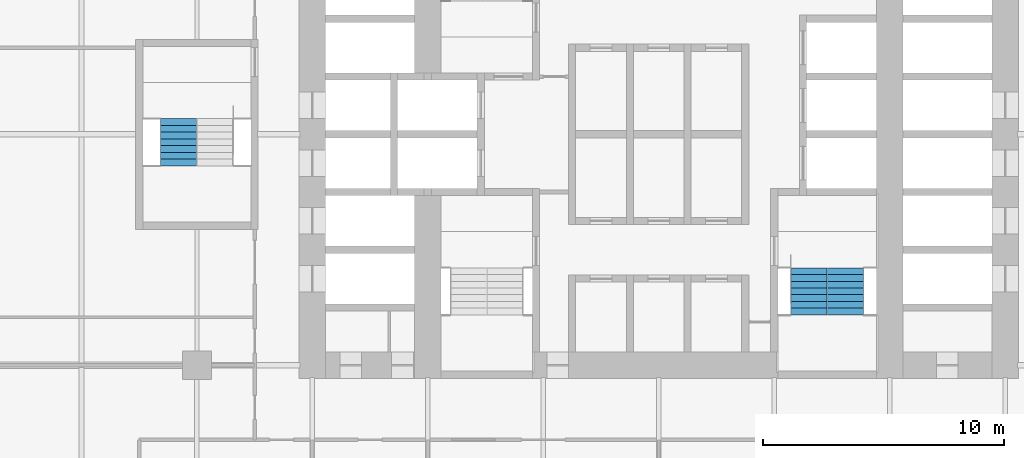
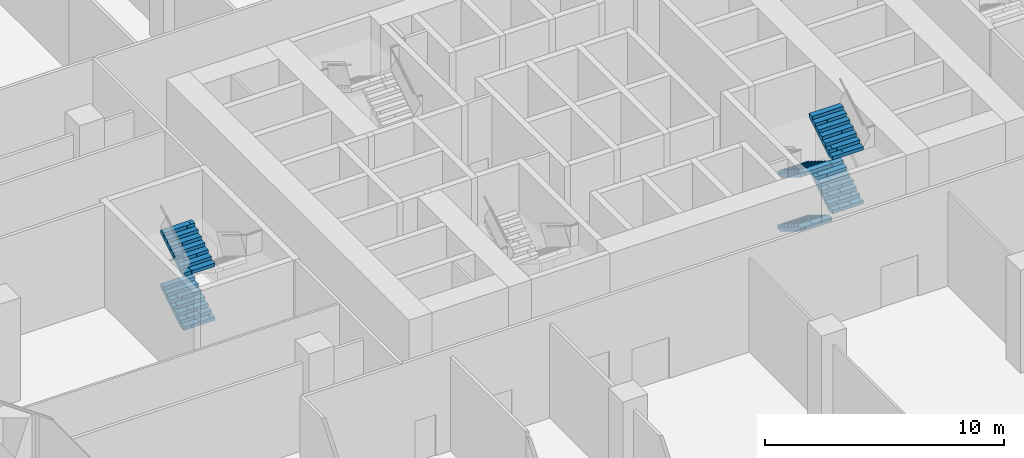
# One storey, part 23 of 27: 6 stair flights, 2 elements without a shape of their own.
"""IFC4 building model written with IfcOpenShell, lengths in metres."""

from ifc_helpers import new_model, si_unit, direction, frame, origin, place, context, subcontext, project, spatial, polyline, outline, extrude, material, type_object, element, aggregate, save


model = new_model("IFC4")

# Units and contexts
model_context = context("Model", 3, precision=1e-05, world=origin(), true_north=direction((0.0, 1.0)))
body_context = subcontext(model_context, "Body", "Model", "MODEL_VIEW")
ifc_project = project(units=[si_unit("LENGTHUNIT", "METRE"), si_unit("AREAUNIT", "SQUARE_METRE"), si_unit("VOLUMEUNIT", "CUBIC_METRE"), si_unit("PLANEANGLEUNIT", "RADIAN"), si_unit("MASSUNIT", "GRAM", prefix="KILO")], contexts=[model_context])

# Site, building, storey
site_placement = place(None, origin())
site = spatial("IfcSite", under=ifc_project, at=site_placement, CompositionType="ELEMENT")
building_placement = place(site_placement, origin())
building = spatial("IfcBuilding", under=site, at=building_placement, Name="Kolab Exchange Tower", CompositionType="ELEMENT")
storey_placement = place(building_placement, frame((0.0, 0.0, 22.39990234375)))
storey = spatial("IfcBuildingStorey", under=building, at=storey_placement, Name="L04", CompositionType="ELEMENT", Elevation=22.39990234375)

# Stair, stair flights
ifc_material = material(Name="Concrete C50/60", Category="concrete")
stair_type_1 = type_object("IfcStairType", Name="STAIR ST2 RISER 171.9", PredefinedType="DOUBLE_RETURN_STAIR", material=ifc_material)
stair_1_placement = place(storey_placement, origin())
stair_1 = element("IfcStair", 1, at=stair_1_placement, inside=storey, type_object=stair_type_1, Name="Stair 2", PredefinedType="DOUBLE_RETURN_STAIR")
stair_flight_type = type_object("IfcStairFlightType", Name="STAIR FLIGHT 1500 RISER 171.9", PredefinedType="STRAIGHT", material=ifc_material)
stair_flight_1_placement = place(storey_placement, frame((6.239990234375, -5.550048828125, 0.0), z_axis=(0.0, 0.0, 1.0), x_axis=(0.0, -1.0, 0.0)))
stair_flight_1 = element("IfcStairFlight", 2, at=stair_flight_1_placement, type_object=stair_flight_type, Name="ST2 flight 1", NumberOfRisers=8, NumberOfTreads=7, PredefinedType="STRAIGHT", RiserHeight=0.171875, TreadLength=0.28, context=body_context, shape_type="SweptSolid", body=[
    extrude(outline(polyline([(0.0, 0.0), (0.0, 0.171875), (0.280029296875, 0.171875), (0.280029296875, 0.34375), (0.56005859375, 0.34375), (0.56005859375, 0.515625), (0.840087890625, 0.515625), (0.840087890625, 0.6875), (1.1201171875, 0.6875), (1.1201171875, 0.859375), (1.39990234375, 0.859375), (1.39990234375, 1.03125), (1.679931640625, 1.03125), (1.679931640625, 1.203125), (1.9599609375, 1.203125), (1.9599609375, 1.375), (1.9599609375, 1.02734375), (0.28662109375, 0.0), (0.0, 0.0)])), frame((0.0, 0.75, 0.0), z_axis=(0.0, -1.0, 0.0), x_axis=(1.0, 0.0, 0.0)), (0.0, 0.0, 1.0), 0.185791015625),
    extrude(outline(polyline([(0.0, 0.0), (0.0, 0.171875), (0.280029296875, 0.171875), (0.280029296875, 0.34375), (0.56005859375, 0.34375), (0.56005859375, 0.515625), (0.840087890625, 0.515625), (0.840087890625, 0.6875), (1.1201171875, 0.6875), (1.1201171875, 0.859375), (1.39990234375, 0.859375), (1.39990234375, 1.03125), (1.679931640625, 1.03125), (1.679931640625, 1.203125), (1.9599609375, 1.203125), (1.9599609375, 1.375), (1.9599609375, 1.02734375), (0.28662109375, 0.0), (0.0, 0.0)])), frame((0.0, 0.562255859375, 0.0), z_axis=(0.0, -1.0, 0.0), x_axis=(1.0, 0.0, 0.0)), (0.0, 0.0, 1.0), 0.185791015625),
    extrude(outline(polyline([(0.0, 0.0), (0.0, 0.171875), (0.280029296875, 0.171875), (0.280029296875, 0.34375), (0.56005859375, 0.34375), (0.56005859375, 0.515625), (0.840087890625, 0.515625), (0.840087890625, 0.6875), (1.1201171875, 0.6875), (1.1201171875, 0.859375), (1.39990234375, 0.859375), (1.39990234375, 1.03125), (1.679931640625, 1.03125), (1.679931640625, 1.203125), (1.9599609375, 1.203125), (1.9599609375, 1.375), (1.9599609375, 1.02734375), (0.28662109375, 0.0), (0.0, 0.0)])), frame((0.0, 0.37451171875, 0.0), z_axis=(0.0, -1.0, 0.0), x_axis=(1.0, 0.0, 0.0)), (0.0, 0.0, 1.0), 0.185791015625),
    extrude(outline(polyline([(0.0, 0.0), (0.0, 0.171875), (0.280029296875, 0.171875), (0.280029296875, 0.34375), (0.56005859375, 0.34375), (0.56005859375, 0.515625), (0.840087890625, 0.515625), (0.840087890625, 0.6875), (1.1201171875, 0.6875), (1.1201171875, 0.859375), (1.39990234375, 0.859375), (1.39990234375, 1.03125), (1.679931640625, 1.03125), (1.679931640625, 1.203125), (1.9599609375, 1.203125), (1.9599609375, 1.375), (1.9599609375, 1.02734375), (0.28662109375, 0.0), (0.0, 0.0)])), frame((0.0, 0.186767578125, 0.0), z_axis=(0.0, -1.0, 0.0), x_axis=(1.0, 0.0, 0.0)), (0.0, 0.0, 1.0), 0.185791015625),
    extrude(outline(polyline([(0.0, 0.0), (0.0, 0.171875), (0.280029296875, 0.171875), (0.280029296875, 0.34375), (0.56005859375, 0.34375), (0.56005859375, 0.515625), (0.840087890625, 0.515625), (0.840087890625, 0.6875), (1.1201171875, 0.6875), (1.1201171875, 0.859375), (1.39990234375, 0.859375), (1.39990234375, 1.03125), (1.679931640625, 1.03125), (1.679931640625, 1.203125), (1.9599609375, 1.203125), (1.9599609375, 1.375), (1.9599609375, 1.02734375), (0.28662109375, 0.0), (0.0, 0.0)])), frame((0.0, -0.0009765625, 0.0), z_axis=(0.0, -1.0, 0.0), x_axis=(1.0, 0.0, 0.0)), (0.0, 0.0, 1.0), 0.185791015625),
    extrude(outline(polyline([(0.0, 0.0), (0.0, 0.171875), (0.280029296875, 0.171875), (0.280029296875, 0.34375), (0.56005859375, 0.34375), (0.56005859375, 0.515625), (0.840087890625, 0.515625), (0.840087890625, 0.6875), (1.1201171875, 0.6875), (1.1201171875, 0.859375), (1.39990234375, 0.859375), (1.39990234375, 1.03125), (1.679931640625, 1.03125), (1.679931640625, 1.203125), (1.9599609375, 1.203125), (1.9599609375, 1.375), (1.9599609375, 1.02734375), (0.28662109375, 0.0), (0.0, 0.0)])), frame((0.0, -0.188720703125, 0.0), z_axis=(0.0, -1.0, 0.0), x_axis=(1.0, 0.0, 0.0)), (0.0, 0.0, 1.0), 0.185791015625),
    extrude(outline(polyline([(0.0, 0.0), (0.0, 0.171875), (0.280029296875, 0.171875), (0.280029296875, 0.34375), (0.56005859375, 0.34375), (0.56005859375, 0.515625), (0.840087890625, 0.515625), (0.840087890625, 0.6875), (1.1201171875, 0.6875), (1.1201171875, 0.859375), (1.39990234375, 0.859375), (1.39990234375, 1.03125), (1.679931640625, 1.03125), (1.679931640625, 1.203125), (1.9599609375, 1.203125), (1.9599609375, 1.375), (1.9599609375, 1.02734375), (0.28662109375, 0.0), (0.0, 0.0)])), frame((0.0, -0.37646484375, 0.0), z_axis=(0.0, -1.0, 0.0), x_axis=(1.0, 0.0, 0.0)), (0.0, 0.0, 1.0), 0.185791015625),
    extrude(outline(polyline([(0.0, 0.0), (0.0, 0.171875), (0.280029296875, 0.171875), (0.280029296875, 0.34375), (0.56005859375, 0.34375), (0.56005859375, 0.515625), (0.840087890625, 0.515625), (0.840087890625, 0.6875), (1.1201171875, 0.6875), (1.1201171875, 0.859375), (1.39990234375, 0.859375), (1.39990234375, 1.03125), (1.679931640625, 1.03125), (1.679931640625, 1.203125), (1.9599609375, 1.203125), (1.9599609375, 1.375), (1.9599609375, 1.02734375), (0.28662109375, 0.0), (0.0, 0.0)])), frame((0.0, -0.564208984375, 0.0), z_axis=(0.0, -1.0, 0.0), x_axis=(1.0, 0.0, 0.0)), (0.0, 0.0, 1.0), 0.185791015625),
])
stair_flight_2_placement = place(storey_placement, frame((7.760009765625, -7.510009765625, 1.375), z_axis=(0.0, 0.0, 1.0), x_axis=(0.0, 1.0, 0.0)))
stair_flight_2 = element("IfcStairFlight", 3, at=stair_flight_2_placement, type_object=stair_flight_type, Name="ST2 flight 2", NumberOfRisers=8, NumberOfTreads=7, PredefinedType="STRAIGHT", RiserHeight=0.171875, TreadLength=0.28, context=body_context, shape_type="SweptSolid", body=[
    extrude(outline(polyline([(0.0, 0.0), (0.0, 0.171875), (0.280029296875, 0.171875), (0.280029296875, 0.34375), (0.56005859375, 0.34375), (0.56005859375, 0.515625), (0.840087890625, 0.515625), (0.840087890625, 0.6875), (1.1201171875, 0.6875), (1.1201171875, 0.859375), (1.39990234375, 0.859375), (1.39990234375, 1.03125), (1.679931640625, 1.03125), (1.679931640625, 1.203125), (1.9599609375, 1.203125), (1.9599609375, 1.375), (1.9599609375, 1.02734375), (0.28662109375, 0.0), (0.0, 0.0)])), frame((0.0, 0.75, 0.0), z_axis=(0.0, -1.0, 0.0), x_axis=(1.0, 0.0, 0.0)), (0.0, 0.0, 1.0), 0.185791015625),
    extrude(outline(polyline([(0.0, 0.0), (0.0, 0.171875), (0.280029296875, 0.171875), (0.280029296875, 0.34375), (0.56005859375, 0.34375), (0.56005859375, 0.515625), (0.840087890625, 0.515625), (0.840087890625, 0.6875), (1.1201171875, 0.6875), (1.1201171875, 0.859375), (1.39990234375, 0.859375), (1.39990234375, 1.03125), (1.679931640625, 1.03125), (1.679931640625, 1.203125), (1.9599609375, 1.203125), (1.9599609375, 1.375), (1.9599609375, 1.02734375), (0.28662109375, 0.0), (0.0, 0.0)])), frame((0.0, 0.562255859375, 0.0), z_axis=(0.0, -1.0, 0.0), x_axis=(1.0, 0.0, 0.0)), (0.0, 0.0, 1.0), 0.185791015625),
    extrude(outline(polyline([(0.0, 0.0), (0.0, 0.171875), (0.280029296875, 0.171875), (0.280029296875, 0.34375), (0.56005859375, 0.34375), (0.56005859375, 0.515625), (0.840087890625, 0.515625), (0.840087890625, 0.6875), (1.1201171875, 0.6875), (1.1201171875, 0.859375), (1.39990234375, 0.859375), (1.39990234375, 1.03125), (1.679931640625, 1.03125), (1.679931640625, 1.203125), (1.9599609375, 1.203125), (1.9599609375, 1.375), (1.9599609375, 1.02734375), (0.28662109375, 0.0), (0.0, 0.0)])), frame((0.0, 0.37451171875, 0.0), z_axis=(0.0, -1.0, 0.0), x_axis=(1.0, 0.0, 0.0)), (0.0, 0.0, 1.0), 0.185791015625),
    extrude(outline(polyline([(0.0, 0.0), (0.0, 0.171875), (0.280029296875, 0.171875), (0.280029296875, 0.34375), (0.56005859375, 0.34375), (0.56005859375, 0.515625), (0.840087890625, 0.515625), (0.840087890625, 0.6875), (1.1201171875, 0.6875), (1.1201171875, 0.859375), (1.39990234375, 0.859375), (1.39990234375, 1.03125), (1.679931640625, 1.03125), (1.679931640625, 1.203125), (1.9599609375, 1.203125), (1.9599609375, 1.375), (1.9599609375, 1.02734375), (0.28662109375, 0.0), (0.0, 0.0)])), frame((0.0, 0.186767578125, 0.0), z_axis=(0.0, -1.0, 0.0), x_axis=(1.0, 0.0, 0.0)), (0.0, 0.0, 1.0), 0.185791015625),
    extrude(outline(polyline([(0.0, 0.0), (0.0, 0.171875), (0.280029296875, 0.171875), (0.280029296875, 0.34375), (0.56005859375, 0.34375), (0.56005859375, 0.515625), (0.840087890625, 0.515625), (0.840087890625, 0.6875), (1.1201171875, 0.6875), (1.1201171875, 0.859375), (1.39990234375, 0.859375), (1.39990234375, 1.03125), (1.679931640625, 1.03125), (1.679931640625, 1.203125), (1.9599609375, 1.203125), (1.9599609375, 1.375), (1.9599609375, 1.02734375), (0.28662109375, 0.0), (0.0, 0.0)])), frame((0.0, -0.0009765625, 0.0), z_axis=(0.0, -1.0, 0.0), x_axis=(1.0, 0.0, 0.0)), (0.0, 0.0, 1.0), 0.185791015625),
    extrude(outline(polyline([(0.0, 0.0), (0.0, 0.171875), (0.280029296875, 0.171875), (0.280029296875, 0.34375), (0.56005859375, 0.34375), (0.56005859375, 0.515625), (0.840087890625, 0.515625), (0.840087890625, 0.6875), (1.1201171875, 0.6875), (1.1201171875, 0.859375), (1.39990234375, 0.859375), (1.39990234375, 1.03125), (1.679931640625, 1.03125), (1.679931640625, 1.203125), (1.9599609375, 1.203125), (1.9599609375, 1.375), (1.9599609375, 1.02734375), (0.28662109375, 0.0), (0.0, 0.0)])), frame((0.0, -0.188720703125, 0.0), z_axis=(0.0, -1.0, 0.0), x_axis=(1.0, 0.0, 0.0)), (0.0, 0.0, 1.0), 0.185791015625),
    extrude(outline(polyline([(0.0, 0.0), (0.0, 0.171875), (0.280029296875, 0.171875), (0.280029296875, 0.34375), (0.56005859375, 0.34375), (0.56005859375, 0.515625), (0.840087890625, 0.515625), (0.840087890625, 0.6875), (1.1201171875, 0.6875), (1.1201171875, 0.859375), (1.39990234375, 0.859375), (1.39990234375, 1.03125), (1.679931640625, 1.03125), (1.679931640625, 1.203125), (1.9599609375, 1.203125), (1.9599609375, 1.375), (1.9599609375, 1.02734375), (0.28662109375, 0.0), (0.0, 0.0)])), frame((0.0, -0.37646484375, 0.0), z_axis=(0.0, -1.0, 0.0), x_axis=(1.0, 0.0, 0.0)), (0.0, 0.0, 1.0), 0.185791015625),
    extrude(outline(polyline([(0.0, 0.0), (0.0, 0.171875), (0.280029296875, 0.171875), (0.280029296875, 0.34375), (0.56005859375, 0.34375), (0.56005859375, 0.515625), (0.840087890625, 0.515625), (0.840087890625, 0.6875), (1.1201171875, 0.6875), (1.1201171875, 0.859375), (1.39990234375, 0.859375), (1.39990234375, 1.03125), (1.679931640625, 1.03125), (1.679931640625, 1.203125), (1.9599609375, 1.203125), (1.9599609375, 1.375), (1.9599609375, 1.02734375), (0.28662109375, 0.0), (0.0, 0.0)])), frame((0.0, -0.564208984375, 0.0), z_axis=(0.0, -1.0, 0.0), x_axis=(1.0, 0.0, 0.0)), (0.0, 0.0, 1.0), 0.185791015625),
])
stair_flight_3_placement = place(storey_placement, frame((6.239990234375, -5.550048828125, 2.75), z_axis=(0.0, 0.0, 1.0), x_axis=(0.0, -1.0, 0.0)))
stair_flight_3 = element("IfcStairFlight", 4, at=stair_flight_3_placement, type_object=stair_flight_type, Name="ST2 flight 3", NumberOfRisers=8, NumberOfTreads=7, PredefinedType="STRAIGHT", RiserHeight=0.171875, TreadLength=0.28, context=body_context, shape_type="SweptSolid", body=[
    extrude(outline(polyline([(0.0, 0.0), (0.0, 0.171875), (0.280029296875, 0.171875), (0.280029296875, 0.34375), (0.56005859375, 0.34375), (0.56005859375, 0.515625), (0.840087890625, 0.515625), (0.840087890625, 0.6875), (1.1201171875, 0.6875), (1.1201171875, 0.859375), (1.39990234375, 0.859375), (1.39990234375, 1.03125), (1.679931640625, 1.03125), (1.679931640625, 1.203125), (1.9599609375, 1.203125), (1.9599609375, 1.375), (1.9599609375, 1.02734375), (0.28662109375, 0.0), (0.0, 0.0)])), frame((0.0, 0.75, 0.0), z_axis=(0.0, -1.0, 0.0), x_axis=(1.0, 0.0, 0.0)), (0.0, 0.0, 1.0), 0.185791015625),
    extrude(outline(polyline([(0.0, 0.0), (0.0, 0.171875), (0.280029296875, 0.171875), (0.280029296875, 0.34375), (0.56005859375, 0.34375), (0.56005859375, 0.515625), (0.840087890625, 0.515625), (0.840087890625, 0.6875), (1.1201171875, 0.6875), (1.1201171875, 0.859375), (1.39990234375, 0.859375), (1.39990234375, 1.03125), (1.679931640625, 1.03125), (1.679931640625, 1.203125), (1.9599609375, 1.203125), (1.9599609375, 1.375), (1.9599609375, 1.02734375), (0.28662109375, 0.0), (0.0, 0.0)])), frame((0.0, 0.562255859375, 0.0), z_axis=(0.0, -1.0, 0.0), x_axis=(1.0, 0.0, 0.0)), (0.0, 0.0, 1.0), 0.185791015625),
    extrude(outline(polyline([(0.0, 0.0), (0.0, 0.171875), (0.280029296875, 0.171875), (0.280029296875, 0.34375), (0.56005859375, 0.34375), (0.56005859375, 0.515625), (0.840087890625, 0.515625), (0.840087890625, 0.6875), (1.1201171875, 0.6875), (1.1201171875, 0.859375), (1.39990234375, 0.859375), (1.39990234375, 1.03125), (1.679931640625, 1.03125), (1.679931640625, 1.203125), (1.9599609375, 1.203125), (1.9599609375, 1.375), (1.9599609375, 1.02734375), (0.28662109375, 0.0), (0.0, 0.0)])), frame((0.0, 0.37451171875, 0.0), z_axis=(0.0, -1.0, 0.0), x_axis=(1.0, 0.0, 0.0)), (0.0, 0.0, 1.0), 0.185791015625),
    extrude(outline(polyline([(0.0, 0.0), (0.0, 0.171875), (0.280029296875, 0.171875), (0.280029296875, 0.34375), (0.56005859375, 0.34375), (0.56005859375, 0.515625), (0.840087890625, 0.515625), (0.840087890625, 0.6875), (1.1201171875, 0.6875), (1.1201171875, 0.859375), (1.39990234375, 0.859375), (1.39990234375, 1.03125), (1.679931640625, 1.03125), (1.679931640625, 1.203125), (1.9599609375, 1.203125), (1.9599609375, 1.375), (1.9599609375, 1.02734375), (0.28662109375, 0.0), (0.0, 0.0)])), frame((0.0, 0.186767578125, 0.0), z_axis=(0.0, -1.0, 0.0), x_axis=(1.0, 0.0, 0.0)), (0.0, 0.0, 1.0), 0.185791015625),
    extrude(outline(polyline([(0.0, 0.0), (0.0, 0.171875), (0.280029296875, 0.171875), (0.280029296875, 0.34375), (0.56005859375, 0.34375), (0.56005859375, 0.515625), (0.840087890625, 0.515625), (0.840087890625, 0.6875), (1.1201171875, 0.6875), (1.1201171875, 0.859375), (1.39990234375, 0.859375), (1.39990234375, 1.03125), (1.679931640625, 1.03125), (1.679931640625, 1.203125), (1.9599609375, 1.203125), (1.9599609375, 1.375), (1.9599609375, 1.02734375), (0.28662109375, 0.0), (0.0, 0.0)])), frame((0.0, -0.0009765625, 0.0), z_axis=(0.0, -1.0, 0.0), x_axis=(1.0, 0.0, 0.0)), (0.0, 0.0, 1.0), 0.185791015625),
    extrude(outline(polyline([(0.0, 0.0), (0.0, 0.171875), (0.280029296875, 0.171875), (0.280029296875, 0.34375), (0.56005859375, 0.34375), (0.56005859375, 0.515625), (0.840087890625, 0.515625), (0.840087890625, 0.6875), (1.1201171875, 0.6875), (1.1201171875, 0.859375), (1.39990234375, 0.859375), (1.39990234375, 1.03125), (1.679931640625, 1.03125), (1.679931640625, 1.203125), (1.9599609375, 1.203125), (1.9599609375, 1.375), (1.9599609375, 1.02734375), (0.28662109375, 0.0), (0.0, 0.0)])), frame((0.0, -0.188720703125, 0.0), z_axis=(0.0, -1.0, 0.0), x_axis=(1.0, 0.0, 0.0)), (0.0, 0.0, 1.0), 0.185791015625),
    extrude(outline(polyline([(0.0, 0.0), (0.0, 0.171875), (0.280029296875, 0.171875), (0.280029296875, 0.34375), (0.56005859375, 0.34375), (0.56005859375, 0.515625), (0.840087890625, 0.515625), (0.840087890625, 0.6875), (1.1201171875, 0.6875), (1.1201171875, 0.859375), (1.39990234375, 0.859375), (1.39990234375, 1.03125), (1.679931640625, 1.03125), (1.679931640625, 1.203125), (1.9599609375, 1.203125), (1.9599609375, 1.375), (1.9599609375, 1.02734375), (0.28662109375, 0.0), (0.0, 0.0)])), frame((0.0, -0.37646484375, 0.0), z_axis=(0.0, -1.0, 0.0), x_axis=(1.0, 0.0, 0.0)), (0.0, 0.0, 1.0), 0.185791015625),
    extrude(outline(polyline([(0.0, 0.0), (0.0, 0.171875), (0.280029296875, 0.171875), (0.280029296875, 0.34375), (0.56005859375, 0.34375), (0.56005859375, 0.515625), (0.840087890625, 0.515625), (0.840087890625, 0.6875), (1.1201171875, 0.6875), (1.1201171875, 0.859375), (1.39990234375, 0.859375), (1.39990234375, 1.03125), (1.679931640625, 1.03125), (1.679931640625, 1.203125), (1.9599609375, 1.203125), (1.9599609375, 1.375), (1.9599609375, 1.02734375), (0.28662109375, 0.0), (0.0, 0.0)])), frame((0.0, -0.564208984375, 0.0), z_axis=(0.0, -1.0, 0.0), x_axis=(1.0, 0.0, 0.0)), (0.0, 0.0, 1.0), 0.185791015625),
])
stair_flight_4_placement = place(storey_placement, frame((7.760009765625, -7.510009765625, 4.125), z_axis=(0.0, 0.0, 1.0), x_axis=(0.0, 1.0, 0.0)))
stair_flight_4 = element("IfcStairFlight", 5, at=stair_flight_4_placement, type_object=stair_flight_type, Name="ST2 flight 4", NumberOfRisers=8, NumberOfTreads=7, PredefinedType="STRAIGHT", RiserHeight=0.171875, TreadLength=0.28, context=body_context, shape_type="SweptSolid", body=[
    extrude(outline(polyline([(0.0, 0.0), (0.0, 0.171875), (0.280029296875, 0.171875), (0.280029296875, 0.34375), (0.56005859375, 0.34375), (0.56005859375, 0.515625), (0.840087890625, 0.515625), (0.840087890625, 0.6875), (1.1201171875, 0.6875), (1.1201171875, 0.859375), (1.39990234375, 0.859375), (1.39990234375, 1.03125), (1.679931640625, 1.03125), (1.679931640625, 1.203125), (1.9599609375, 1.203125), (1.9599609375, 1.375), (1.9599609375, 1.02734375), (0.28662109375, 0.0), (0.0, 0.0)])), frame((0.0, 0.75, 0.0), z_axis=(0.0, -1.0, 0.0), x_axis=(1.0, 0.0, 0.0)), (0.0, 0.0, 1.0), 0.185791015625),
    extrude(outline(polyline([(0.0, 0.0), (0.0, 0.171875), (0.280029296875, 0.171875), (0.280029296875, 0.34375), (0.56005859375, 0.34375), (0.56005859375, 0.515625), (0.840087890625, 0.515625), (0.840087890625, 0.6875), (1.1201171875, 0.6875), (1.1201171875, 0.859375), (1.39990234375, 0.859375), (1.39990234375, 1.03125), (1.679931640625, 1.03125), (1.679931640625, 1.203125), (1.9599609375, 1.203125), (1.9599609375, 1.375), (1.9599609375, 1.02734375), (0.28662109375, 0.0), (0.0, 0.0)])), frame((0.0, 0.562255859375, 0.0), z_axis=(0.0, -1.0, 0.0), x_axis=(1.0, 0.0, 0.0)), (0.0, 0.0, 1.0), 0.185791015625),
    extrude(outline(polyline([(0.0, 0.0), (0.0, 0.171875), (0.280029296875, 0.171875), (0.280029296875, 0.34375), (0.56005859375, 0.34375), (0.56005859375, 0.515625), (0.840087890625, 0.515625), (0.840087890625, 0.6875), (1.1201171875, 0.6875), (1.1201171875, 0.859375), (1.39990234375, 0.859375), (1.39990234375, 1.03125), (1.679931640625, 1.03125), (1.679931640625, 1.203125), (1.9599609375, 1.203125), (1.9599609375, 1.375), (1.9599609375, 1.02734375), (0.28662109375, 0.0), (0.0, 0.0)])), frame((0.0, 0.37451171875, 0.0), z_axis=(0.0, -1.0, 0.0), x_axis=(1.0, 0.0, 0.0)), (0.0, 0.0, 1.0), 0.185791015625),
    extrude(outline(polyline([(0.0, 0.0), (0.0, 0.171875), (0.280029296875, 0.171875), (0.280029296875, 0.34375), (0.56005859375, 0.34375), (0.56005859375, 0.515625), (0.840087890625, 0.515625), (0.840087890625, 0.6875), (1.1201171875, 0.6875), (1.1201171875, 0.859375), (1.39990234375, 0.859375), (1.39990234375, 1.03125), (1.679931640625, 1.03125), (1.679931640625, 1.203125), (1.9599609375, 1.203125), (1.9599609375, 1.375), (1.9599609375, 1.02734375), (0.28662109375, 0.0), (0.0, 0.0)])), frame((0.0, 0.186767578125, 0.0), z_axis=(0.0, -1.0, 0.0), x_axis=(1.0, 0.0, 0.0)), (0.0, 0.0, 1.0), 0.185791015625),
    extrude(outline(polyline([(0.0, 0.0), (0.0, 0.171875), (0.280029296875, 0.171875), (0.280029296875, 0.34375), (0.56005859375, 0.34375), (0.56005859375, 0.515625), (0.840087890625, 0.515625), (0.840087890625, 0.6875), (1.1201171875, 0.6875), (1.1201171875, 0.859375), (1.39990234375, 0.859375), (1.39990234375, 1.03125), (1.679931640625, 1.03125), (1.679931640625, 1.203125), (1.9599609375, 1.203125), (1.9599609375, 1.375), (1.9599609375, 1.02734375), (0.28662109375, 0.0), (0.0, 0.0)])), frame((0.0, -0.0009765625, 0.0), z_axis=(0.0, -1.0, 0.0), x_axis=(1.0, 0.0, 0.0)), (0.0, 0.0, 1.0), 0.185791015625),
    extrude(outline(polyline([(0.0, 0.0), (0.0, 0.171875), (0.280029296875, 0.171875), (0.280029296875, 0.34375), (0.56005859375, 0.34375), (0.56005859375, 0.515625), (0.840087890625, 0.515625), (0.840087890625, 0.6875), (1.1201171875, 0.6875), (1.1201171875, 0.859375), (1.39990234375, 0.859375), (1.39990234375, 1.03125), (1.679931640625, 1.03125), (1.679931640625, 1.203125), (1.9599609375, 1.203125), (1.9599609375, 1.375), (1.9599609375, 1.02734375), (0.28662109375, 0.0), (0.0, 0.0)])), frame((0.0, -0.188720703125, 0.0), z_axis=(0.0, -1.0, 0.0), x_axis=(1.0, 0.0, 0.0)), (0.0, 0.0, 1.0), 0.185791015625),
    extrude(outline(polyline([(0.0, 0.0), (0.0, 0.171875), (0.280029296875, 0.171875), (0.280029296875, 0.34375), (0.56005859375, 0.34375), (0.56005859375, 0.515625), (0.840087890625, 0.515625), (0.840087890625, 0.6875), (1.1201171875, 0.6875), (1.1201171875, 0.859375), (1.39990234375, 0.859375), (1.39990234375, 1.03125), (1.679931640625, 1.03125), (1.679931640625, 1.203125), (1.9599609375, 1.203125), (1.9599609375, 1.375), (1.9599609375, 1.02734375), (0.28662109375, 0.0), (0.0, 0.0)])), frame((0.0, -0.37646484375, 0.0), z_axis=(0.0, -1.0, 0.0), x_axis=(1.0, 0.0, 0.0)), (0.0, 0.0, 1.0), 0.185791015625),
    extrude(outline(polyline([(0.0, 0.0), (0.0, 0.171875), (0.280029296875, 0.171875), (0.280029296875, 0.34375), (0.56005859375, 0.34375), (0.56005859375, 0.515625), (0.840087890625, 0.515625), (0.840087890625, 0.6875), (1.1201171875, 0.6875), (1.1201171875, 0.859375), (1.39990234375, 0.859375), (1.39990234375, 1.03125), (1.679931640625, 1.03125), (1.679931640625, 1.203125), (1.9599609375, 1.203125), (1.9599609375, 1.375), (1.9599609375, 1.02734375), (0.28662109375, 0.0), (0.0, 0.0)])), frame((0.0, -0.564208984375, 0.0), z_axis=(0.0, -1.0, 0.0), x_axis=(1.0, 0.0, 0.0)), (0.0, 0.0, 1.0), 0.185791015625),
])
aggregate(stair_1, [stair_flight_1, stair_flight_2, stair_flight_3, stair_flight_4])

stair_type_2 = type_object("IfcStairType", Name="STAIR ST5 RISER 171.9", PredefinedType="DOUBLE_RETURN_STAIR", material=ifc_material)
stair_2_placement = place(storey_placement, origin())
stair_2 = element("IfcStair", 6, at=stair_2_placement, inside=storey, type_object=stair_type_2, Name="Stair 5", PredefinedType="DOUBLE_RETURN_STAIR")
stair_flight_5_placement = place(storey_placement, frame((-19.9599609375, -1.31005859375, 1.375), z_axis=(0.0, 0.0, 1.0), x_axis=(0.0, 1.0, 0.0)))
stair_flight_5 = element("IfcStairFlight", 7, at=stair_flight_5_placement, type_object=stair_flight_type, Name="ST5 flight 2", NumberOfRisers=8, NumberOfTreads=7, PredefinedType="STRAIGHT", RiserHeight=0.171875, TreadLength=0.28, context=body_context, shape_type="SweptSolid", body=[
    extrude(outline(polyline([(0.0, 0.0), (0.0, 0.171875), (0.280029296875, 0.171875), (0.280029296875, 0.34375), (0.56005859375, 0.34375), (0.56005859375, 0.515625), (0.840087890625, 0.515625), (0.840087890625, 0.6875), (1.1201171875, 0.6875), (1.1201171875, 0.859375), (1.39990234375, 0.859375), (1.39990234375, 1.03125), (1.679931640625, 1.03125), (1.679931640625, 1.203125), (1.9599609375, 1.203125), (1.9599609375, 1.375), (1.9599609375, 1.02734375), (0.28662109375, 0.0), (0.0, 0.0)])), frame((0.0, 0.75, 0.0), z_axis=(0.0, -1.0, 0.0), x_axis=(1.0, 0.0, 0.0)), (0.0, 0.0, 1.0), 0.185791015625),
    extrude(outline(polyline([(0.0, 0.0), (0.0, 0.171875), (0.280029296875, 0.171875), (0.280029296875, 0.34375), (0.56005859375, 0.34375), (0.56005859375, 0.515625), (0.840087890625, 0.515625), (0.840087890625, 0.6875), (1.1201171875, 0.6875), (1.1201171875, 0.859375), (1.39990234375, 0.859375), (1.39990234375, 1.03125), (1.679931640625, 1.03125), (1.679931640625, 1.203125), (1.9599609375, 1.203125), (1.9599609375, 1.375), (1.9599609375, 1.02734375), (0.28662109375, 0.0), (0.0, 0.0)])), frame((0.0, 0.562255859375, 0.0), z_axis=(0.0, -1.0, 0.0), x_axis=(1.0, 0.0, 0.0)), (0.0, 0.0, 1.0), 0.185791015625),
    extrude(outline(polyline([(0.0, 0.0), (0.0, 0.171875), (0.280029296875, 0.171875), (0.280029296875, 0.34375), (0.56005859375, 0.34375), (0.56005859375, 0.515625), (0.840087890625, 0.515625), (0.840087890625, 0.6875), (1.1201171875, 0.6875), (1.1201171875, 0.859375), (1.39990234375, 0.859375), (1.39990234375, 1.03125), (1.679931640625, 1.03125), (1.679931640625, 1.203125), (1.9599609375, 1.203125), (1.9599609375, 1.375), (1.9599609375, 1.02734375), (0.28662109375, 0.0), (0.0, 0.0)])), frame((0.0, 0.37451171875, 0.0), z_axis=(0.0, -1.0, 0.0), x_axis=(1.0, 0.0, 0.0)), (0.0, 0.0, 1.0), 0.185791015625),
    extrude(outline(polyline([(0.0, 0.0), (0.0, 0.171875), (0.280029296875, 0.171875), (0.280029296875, 0.34375), (0.56005859375, 0.34375), (0.56005859375, 0.515625), (0.840087890625, 0.515625), (0.840087890625, 0.6875), (1.1201171875, 0.6875), (1.1201171875, 0.859375), (1.39990234375, 0.859375), (1.39990234375, 1.03125), (1.679931640625, 1.03125), (1.679931640625, 1.203125), (1.9599609375, 1.203125), (1.9599609375, 1.375), (1.9599609375, 1.02734375), (0.28662109375, 0.0), (0.0, 0.0)])), frame((0.0, 0.186767578125, 0.0), z_axis=(0.0, -1.0, 0.0), x_axis=(1.0, 0.0, 0.0)), (0.0, 0.0, 1.0), 0.185791015625),
    extrude(outline(polyline([(0.0, 0.0), (0.0, 0.171875), (0.280029296875, 0.171875), (0.280029296875, 0.34375), (0.56005859375, 0.34375), (0.56005859375, 0.515625), (0.840087890625, 0.515625), (0.840087890625, 0.6875), (1.1201171875, 0.6875), (1.1201171875, 0.859375), (1.39990234375, 0.859375), (1.39990234375, 1.03125), (1.679931640625, 1.03125), (1.679931640625, 1.203125), (1.9599609375, 1.203125), (1.9599609375, 1.375), (1.9599609375, 1.02734375), (0.28662109375, 0.0), (0.0, 0.0)])), frame((0.0, -0.0009765625, 0.0), z_axis=(0.0, -1.0, 0.0), x_axis=(1.0, 0.0, 0.0)), (0.0, 0.0, 1.0), 0.185791015625),
    extrude(outline(polyline([(0.0, 0.0), (0.0, 0.171875), (0.280029296875, 0.171875), (0.280029296875, 0.34375), (0.56005859375, 0.34375), (0.56005859375, 0.515625), (0.840087890625, 0.515625), (0.840087890625, 0.6875), (1.1201171875, 0.6875), (1.1201171875, 0.859375), (1.39990234375, 0.859375), (1.39990234375, 1.03125), (1.679931640625, 1.03125), (1.679931640625, 1.203125), (1.9599609375, 1.203125), (1.9599609375, 1.375), (1.9599609375, 1.02734375), (0.28662109375, 0.0), (0.0, 0.0)])), frame((0.0, -0.188720703125, 0.0), z_axis=(0.0, -1.0, 0.0), x_axis=(1.0, 0.0, 0.0)), (0.0, 0.0, 1.0), 0.185791015625),
    extrude(outline(polyline([(0.0, 0.0), (0.0, 0.171875), (0.280029296875, 0.171875), (0.280029296875, 0.34375), (0.56005859375, 0.34375), (0.56005859375, 0.515625), (0.840087890625, 0.515625), (0.840087890625, 0.6875), (1.1201171875, 0.6875), (1.1201171875, 0.859375), (1.39990234375, 0.859375), (1.39990234375, 1.03125), (1.679931640625, 1.03125), (1.679931640625, 1.203125), (1.9599609375, 1.203125), (1.9599609375, 1.375), (1.9599609375, 1.02734375), (0.28662109375, 0.0), (0.0, 0.0)])), frame((0.0, -0.37646484375, 0.0), z_axis=(0.0, -1.0, 0.0), x_axis=(1.0, 0.0, 0.0)), (0.0, 0.0, 1.0), 0.185791015625),
    extrude(outline(polyline([(0.0, 0.0), (0.0, 0.171875), (0.280029296875, 0.171875), (0.280029296875, 0.34375), (0.56005859375, 0.34375), (0.56005859375, 0.515625), (0.840087890625, 0.515625), (0.840087890625, 0.6875), (1.1201171875, 0.6875), (1.1201171875, 0.859375), (1.39990234375, 0.859375), (1.39990234375, 1.03125), (1.679931640625, 1.03125), (1.679931640625, 1.203125), (1.9599609375, 1.203125), (1.9599609375, 1.375), (1.9599609375, 1.02734375), (0.28662109375, 0.0), (0.0, 0.0)])), frame((0.0, -0.564208984375, 0.0), z_axis=(0.0, -1.0, 0.0), x_axis=(1.0, 0.0, 0.0)), (0.0, 0.0, 1.0), 0.185791015625),
])
stair_flight_6_placement = place(storey_placement, frame((-19.9599609375, -1.31005859375, 4.125), z_axis=(0.0, 0.0, 1.0), x_axis=(0.0, 1.0, 0.0)))
stair_flight_6 = element("IfcStairFlight", 8, at=stair_flight_6_placement, type_object=stair_flight_type, Name="ST5 flight 4", NumberOfRisers=8, NumberOfTreads=7, PredefinedType="STRAIGHT", RiserHeight=0.171875, TreadLength=0.28, context=body_context, shape_type="SweptSolid", body=[
    extrude(outline(polyline([(0.0, 0.0), (0.0, 0.171875), (0.280029296875, 0.171875), (0.280029296875, 0.34375), (0.56005859375, 0.34375), (0.56005859375, 0.515625), (0.840087890625, 0.515625), (0.840087890625, 0.6875), (1.1201171875, 0.6875), (1.1201171875, 0.859375), (1.39990234375, 0.859375), (1.39990234375, 1.03125), (1.679931640625, 1.03125), (1.679931640625, 1.203125), (1.9599609375, 1.203125), (1.9599609375, 1.375), (1.9599609375, 1.02734375), (0.28662109375, 0.0), (0.0, 0.0)])), frame((0.0, 0.75, 0.0), z_axis=(0.0, -1.0, 0.0), x_axis=(1.0, 0.0, 0.0)), (0.0, 0.0, 1.0), 0.185791015625),
    extrude(outline(polyline([(0.0, 0.0), (0.0, 0.171875), (0.280029296875, 0.171875), (0.280029296875, 0.34375), (0.56005859375, 0.34375), (0.56005859375, 0.515625), (0.840087890625, 0.515625), (0.840087890625, 0.6875), (1.1201171875, 0.6875), (1.1201171875, 0.859375), (1.39990234375, 0.859375), (1.39990234375, 1.03125), (1.679931640625, 1.03125), (1.679931640625, 1.203125), (1.9599609375, 1.203125), (1.9599609375, 1.375), (1.9599609375, 1.02734375), (0.28662109375, 0.0), (0.0, 0.0)])), frame((0.0, 0.562255859375, 0.0), z_axis=(0.0, -1.0, 0.0), x_axis=(1.0, 0.0, 0.0)), (0.0, 0.0, 1.0), 0.185791015625),
    extrude(outline(polyline([(0.0, 0.0), (0.0, 0.171875), (0.280029296875, 0.171875), (0.280029296875, 0.34375), (0.56005859375, 0.34375), (0.56005859375, 0.515625), (0.840087890625, 0.515625), (0.840087890625, 0.6875), (1.1201171875, 0.6875), (1.1201171875, 0.859375), (1.39990234375, 0.859375), (1.39990234375, 1.03125), (1.679931640625, 1.03125), (1.679931640625, 1.203125), (1.9599609375, 1.203125), (1.9599609375, 1.375), (1.9599609375, 1.02734375), (0.28662109375, 0.0), (0.0, 0.0)])), frame((0.0, 0.37451171875, 0.0), z_axis=(0.0, -1.0, 0.0), x_axis=(1.0, 0.0, 0.0)), (0.0, 0.0, 1.0), 0.185791015625),
    extrude(outline(polyline([(0.0, 0.0), (0.0, 0.171875), (0.280029296875, 0.171875), (0.280029296875, 0.34375), (0.56005859375, 0.34375), (0.56005859375, 0.515625), (0.840087890625, 0.515625), (0.840087890625, 0.6875), (1.1201171875, 0.6875), (1.1201171875, 0.859375), (1.39990234375, 0.859375), (1.39990234375, 1.03125), (1.679931640625, 1.03125), (1.679931640625, 1.203125), (1.9599609375, 1.203125), (1.9599609375, 1.375), (1.9599609375, 1.02734375), (0.28662109375, 0.0), (0.0, 0.0)])), frame((0.0, 0.186767578125, 0.0), z_axis=(0.0, -1.0, 0.0), x_axis=(1.0, 0.0, 0.0)), (0.0, 0.0, 1.0), 0.185791015625),
    extrude(outline(polyline([(0.0, 0.0), (0.0, 0.171875), (0.280029296875, 0.171875), (0.280029296875, 0.34375), (0.56005859375, 0.34375), (0.56005859375, 0.515625), (0.840087890625, 0.515625), (0.840087890625, 0.6875), (1.1201171875, 0.6875), (1.1201171875, 0.859375), (1.39990234375, 0.859375), (1.39990234375, 1.03125), (1.679931640625, 1.03125), (1.679931640625, 1.203125), (1.9599609375, 1.203125), (1.9599609375, 1.375), (1.9599609375, 1.02734375), (0.28662109375, 0.0), (0.0, 0.0)])), frame((0.0, -0.0009765625, 0.0), z_axis=(0.0, -1.0, 0.0), x_axis=(1.0, 0.0, 0.0)), (0.0, 0.0, 1.0), 0.185791015625),
    extrude(outline(polyline([(0.0, 0.0), (0.0, 0.171875), (0.280029296875, 0.171875), (0.280029296875, 0.34375), (0.56005859375, 0.34375), (0.56005859375, 0.515625), (0.840087890625, 0.515625), (0.840087890625, 0.6875), (1.1201171875, 0.6875), (1.1201171875, 0.859375), (1.39990234375, 0.859375), (1.39990234375, 1.03125), (1.679931640625, 1.03125), (1.679931640625, 1.203125), (1.9599609375, 1.203125), (1.9599609375, 1.375), (1.9599609375, 1.02734375), (0.28662109375, 0.0), (0.0, 0.0)])), frame((0.0, -0.188720703125, 0.0), z_axis=(0.0, -1.0, 0.0), x_axis=(1.0, 0.0, 0.0)), (0.0, 0.0, 1.0), 0.185791015625),
    extrude(outline(polyline([(0.0, 0.0), (0.0, 0.171875), (0.280029296875, 0.171875), (0.280029296875, 0.34375), (0.56005859375, 0.34375), (0.56005859375, 0.515625), (0.840087890625, 0.515625), (0.840087890625, 0.6875), (1.1201171875, 0.6875), (1.1201171875, 0.859375), (1.39990234375, 0.859375), (1.39990234375, 1.03125), (1.679931640625, 1.03125), (1.679931640625, 1.203125), (1.9599609375, 1.203125), (1.9599609375, 1.375), (1.9599609375, 1.02734375), (0.28662109375, 0.0), (0.0, 0.0)])), frame((0.0, -0.37646484375, 0.0), z_axis=(0.0, -1.0, 0.0), x_axis=(1.0, 0.0, 0.0)), (0.0, 0.0, 1.0), 0.185791015625),
    extrude(outline(polyline([(0.0, 0.0), (0.0, 0.171875), (0.280029296875, 0.171875), (0.280029296875, 0.34375), (0.56005859375, 0.34375), (0.56005859375, 0.515625), (0.840087890625, 0.515625), (0.840087890625, 0.6875), (1.1201171875, 0.6875), (1.1201171875, 0.859375), (1.39990234375, 0.859375), (1.39990234375, 1.03125), (1.679931640625, 1.03125), (1.679931640625, 1.203125), (1.9599609375, 1.203125), (1.9599609375, 1.375), (1.9599609375, 1.02734375), (0.28662109375, 0.0), (0.0, 0.0)])), frame((0.0, -0.564208984375, 0.0), z_axis=(0.0, -1.0, 0.0), x_axis=(1.0, 0.0, 0.0)), (0.0, 0.0, 1.0), 0.185791015625),
])
aggregate(stair_2, [stair_flight_5, stair_flight_6])

save(model, "model.ifc")
